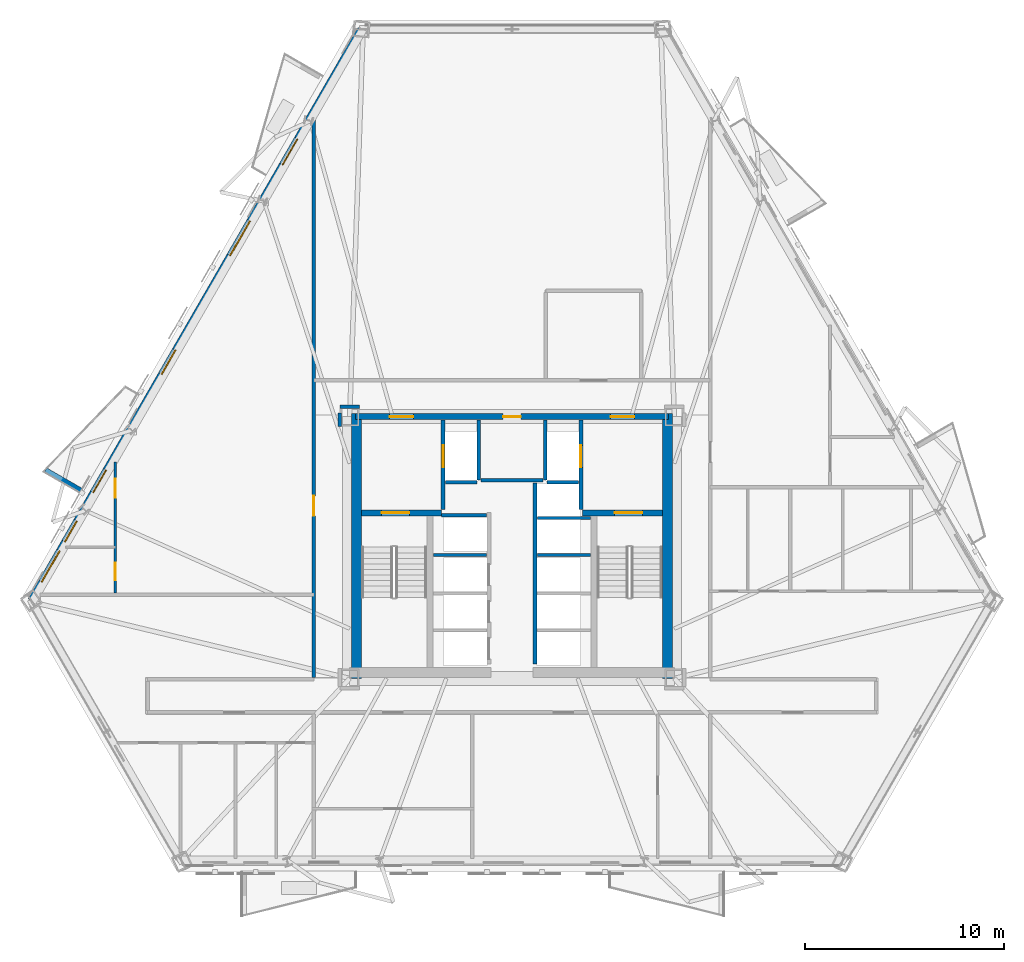
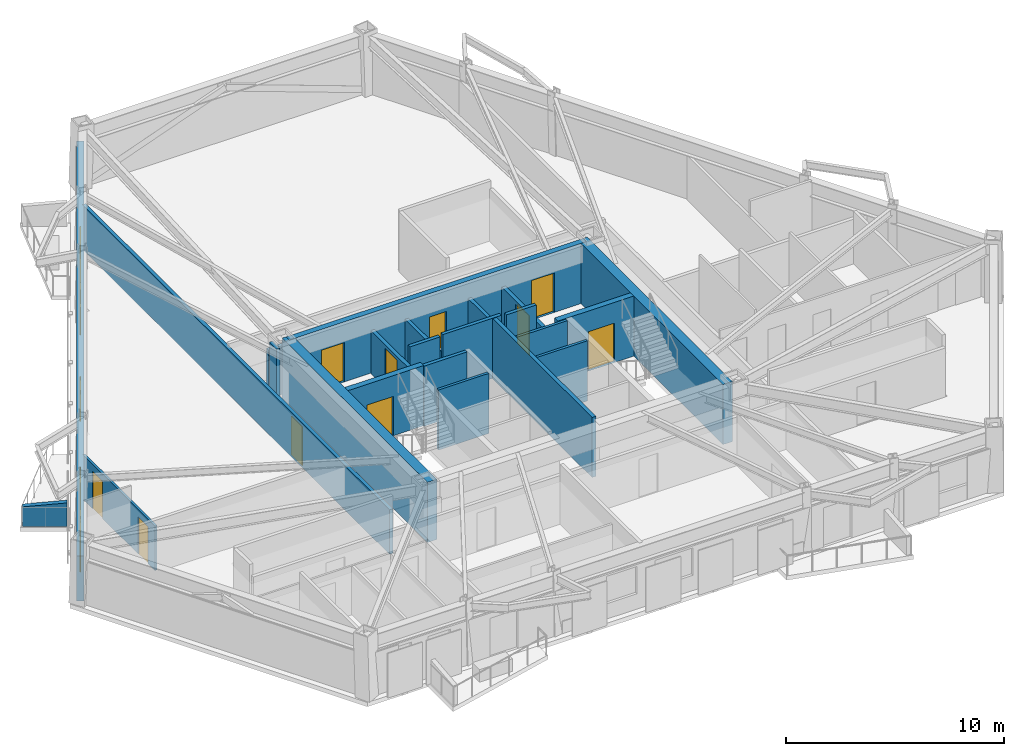
# One storey, part 4 of 13: 23 walls, 12 doors, 4 windows, 16 openings.
"""IFC4 building model written with IfcOpenShell, lengths in metres."""

from ifc_helpers import new_model, si_unit, direction, frame, frame_2d, origin, place, context, subcontext, project, spatial, polyline, rectangle, outline, extrude, material, layer, layer_set, type_object, element, fill, save


model = new_model("IFC4")

# Units and contexts
model_context = context("Model", 3, precision=1e-05, world=origin(), true_north=direction((0.0, 1.0)))
body_context = subcontext(model_context, "Body", "Model", "MODEL_VIEW")
ifc_project = project(units=[si_unit("LENGTHUNIT", "METRE"), si_unit("AREAUNIT", "SQUARE_METRE"), si_unit("VOLUMEUNIT", "CUBIC_METRE"), si_unit("PLANEANGLEUNIT", "RADIAN"), si_unit("MASSUNIT", "GRAM", prefix="KILO")], contexts=[model_context])

# Site, building, storey
site_placement = place(None, origin())
site = spatial("IfcSite", under=ifc_project, at=site_placement, CompositionType="ELEMENT")
building_placement = place(site_placement, origin())
building = spatial("IfcBuilding", under=site, at=building_placement, Name="Oramaril Tower", CompositionType="ELEMENT")
storey_placement = place(building_placement, frame((0.0, 0.0, 41.699951171875)))
storey = spatial("IfcBuildingStorey", under=building, at=storey_placement, Name="L10", CompositionType="ELEMENT", Elevation=41.699951171875)

# Wall, openings, doors, windows
ifc_material_1 = material(Name="Warm Cream Limestone", Category="masonry")
ifc_layer_1 = layer(ifc_material_1, 0.340087890625)
ifc_layer_set_1 = layer_set([ifc_layer_1], Name="WT-EXT34")
wall_type_1 = type_object("IfcWallType", Name="WT-EXT34", PredefinedType="SOLIDWALL", material=ifc_layer_set_1)
wall_1_placement = place(storey_placement, frame((29.910888671875, 43.6025390625, 0.0), z_axis=(0.0, 0.0, 1.0), x_axis=(-0.500002585961, -0.866023910774, 0.0)))
wall_1 = element("IfcWall", 1, at=wall_1_placement, inside=storey, type_object=wall_type_1, Name="L10 Tower Limestone Facade Wall 6M", PredefinedType="SOLIDWALL", context=body_context, shape_type="SweptSolid", body=[
    extrude(rectangle(XDim=33.118408203125, YDim=0.340087890625, at=frame_2d((16.55908203125, 0.0))), origin(), (0.0, 0.0, 1.0), 2.494140625),
])
opening_1_placement = place(wall_1_placement, frame((6.369384765625, 0.0, 0.0)))
opening_1 = element("IfcOpeningElement", 2, at=opening_1_placement, cuts=wall_1, Name="Opening D-L10-BAL-NW1", PredefinedType="OPENING", context=body_context, shape_type="SweptSolid", body=[
    extrude(rectangle(XDim=1.5, YDim=2.199951171875, at=frame_2d((0.75, 1.10009765625))), frame((0.0, 0.169921875, 0.0), z_axis=(0.0, -1.0, 0.0), x_axis=(1.0, 0.0, 0.0)), (0.0, 0.0, 1.0), 0.340087890625),
])
opening_2_placement = place(wall_1_placement, frame((25.57421875, 0.0, 0.0)))
opening_2 = element("IfcOpeningElement", 3, at=opening_2_placement, cuts=wall_1, Name="Opening D-L10-BAL-NW2", PredefinedType="OPENING", context=body_context, shape_type="SweptSolid", body=[
    extrude(rectangle(XDim=1.300048828125, YDim=2.199951171875, at=frame_2d((0.64990234375, 1.10009765625))), frame((0.0, 0.169921875, 0.0), z_axis=(0.0, -1.0, 0.0), x_axis=(1.0, 0.0, 0.0)), (0.0, 0.0, 1.0), 0.340087890625),
])
opening_3_placement = place(wall_1_placement, frame((11.13134765625, 0.0, 0.85009765625)))
opening_3 = element("IfcOpeningElement", 4, at=opening_3_placement, cuts=wall_1, Name="Opening WN-05", PredefinedType="OPENING", context=body_context, shape_type="SweptSolid", body=[
    extrude(rectangle(XDim=2.0, YDim=1.533935546875, at=frame_2d((1.0, 0.76708984375))), frame((0.0, 0.169921875, 0.0), z_axis=(0.0, -1.0, 0.0), x_axis=(1.0, 0.0, 0.0)), (0.0, 0.0, 1.0), 0.340087890625),
])
opening_4_placement = place(wall_1_placement, frame((18.61279296875, 0.0, 0.85009765625)))
opening_4 = element("IfcOpeningElement", 5, at=opening_4_placement, cuts=wall_1, Name="Opening WN-08", PredefinedType="OPENING", context=body_context, shape_type="SweptSolid", body=[
    extrude(rectangle(XDim=1.39990234375, YDim=1.533935546875, at=frame_2d((0.699951171875, 0.76708984375))), frame((0.0, 0.169921875, 0.0), z_axis=(0.0, -1.0, 0.0), x_axis=(1.0, 0.0, 0.0)), (0.0, 0.0, 1.0), 0.340087890625),
])
opening_5_placement = place(wall_1_placement, frame((30.2509765625, 0.0, 0.85009765625)))
opening_5 = element("IfcOpeningElement", 6, at=opening_5_placement, cuts=wall_1, Name="Opening WN-06", PredefinedType="OPENING", context=body_context, shape_type="SweptSolid", body=[
    extrude(rectangle(XDim=1.800048828125, YDim=1.533935546875, at=frame_2d((0.89990234375, 0.76708984375))), frame((0.0, 0.169921875, 0.0), z_axis=(0.0, -1.0, 0.0), x_axis=(1.0, 0.0, 0.0)), (0.0, 0.0, 1.0), 0.340087890625),
])
opening_6_placement = place(wall_1_placement, frame((28.523681640625, 0.0, 0.85009765625)))
opening_6 = element("IfcOpeningElement", 7, at=opening_6_placement, cuts=wall_1, Name="Opening WN-09", PredefinedType="OPENING", context=body_context, shape_type="SweptSolid", body=[
    extrude(rectangle(XDim=1.199951171875, YDim=1.47998046875, at=frame_2d((0.60009765625, 0.739990234375))), frame((0.0, 0.169921875, 0.0), z_axis=(0.0, -1.0, 0.0), x_axis=(1.0, 0.0, 0.0)), (0.0, 0.0, 1.0), 0.340087890625),
])
ifc_material_2 = material(Name="Anodised Aluminium 6063-T6", Category="aluminium")
door_type_1 = type_object("IfcDoorType", Name="DT-BAL", OperationType="NOTDEFINED", PredefinedType="DOOR", material=ifc_material_2)
door_1_placement = place(opening_1_placement, origin())
door_1 = element("IfcDoor", 8, at=door_1_placement, inside=storey, type_object=door_type_1, Name="L10 Balcony Glazed Door L10-BAL-NW1", OperationType="SINGLE_SWING_LEFT", OverallHeight=2.199951171875, OverallWidth=1.5, PredefinedType="DOOR", context=body_context, shape_type="SweptSolid", body=[
    extrude(rectangle(XDim=1.5, YDim=2.199951171875, at=frame_2d((0.75, 1.10009765625))), frame((0.0, 0.02490234375, 0.0), z_axis=(0.0, -1.0, 0.0), x_axis=(1.0, 0.0, 0.0)), (0.0, 0.0, 1.0), 0.050048828125),
])
fill(opening_1, door_1)
ifc_material_3 = material(Name="Anodised Aluminium 6063-T6", Category="aluminium")
door_type_2 = type_object("IfcDoorType", Name="DT-E2", OperationType="NOTDEFINED", PredefinedType="DOOR", material=ifc_material_3)
door_2_placement = place(opening_2_placement, origin())
door_2 = element("IfcDoor", 9, at=door_2_placement, inside=storey, type_object=door_type_2, Name="L10 Balcony Glazed Door L10-BAL-NW2", OperationType="SINGLE_SWING_RIGHT", OverallHeight=2.199951171875, OverallWidth=1.300048828125, PredefinedType="DOOR", context=body_context, shape_type="SweptSolid", body=[
    extrude(rectangle(XDim=1.300048828125, YDim=2.199951171875, at=frame_2d((0.64990234375, 1.10009765625))), frame((0.0, 0.02490234375, 0.0), z_axis=(0.0, -1.0, 0.0), x_axis=(1.0, 0.0, 0.0)), (0.0, 0.0, 1.0), 0.050048828125),
])
fill(opening_2, door_2)
ifc_material_4 = material(Name="Coastal Low-E Insulated Glass", Category="glass")
window_type_1 = type_object("IfcWindowType", Name="WNT-05", PartitioningType="SINGLE_PANEL", PredefinedType="WINDOW", material=ifc_material_4)
window_1_placement = place(opening_3_placement, origin())
window_1 = element("IfcWindow", 10, at=window_1_placement, inside=storey, type_object=window_type_1, Name="L10 Chicago Bay Window WN-05", OverallHeight=1.533935546875, OverallWidth=2.0, PartitioningType="SINGLE_PANEL", PredefinedType="WINDOW", context=body_context, shape_type="SweptSolid", body=[
    extrude(rectangle(XDim=2.0, YDim=1.533935546875, at=frame_2d((1.0, 0.76708984375))), frame((0.0, 0.030029296875, 0.0), z_axis=(0.0, -1.0, 0.0), x_axis=(1.0, 0.0, 0.0)), (0.0, 0.0, 1.0), 0.06005859375),
])
fill(opening_3, window_1)
ifc_material_5 = material(Name="Coastal Low-E Insulated Glass", Category="glass")
window_type_2 = type_object("IfcWindowType", Name="WNT-06", PartitioningType="SINGLE_PANEL", PredefinedType="WINDOW", material=ifc_material_5)
window_2_placement = place(opening_5_placement, origin())
window_2 = element("IfcWindow", 11, at=window_2_placement, inside=storey, type_object=window_type_2, Name="L10 Chicago Bay Window WN-06", OverallHeight=1.533935546875, OverallWidth=1.800048828125, PartitioningType="SINGLE_PANEL", PredefinedType="WINDOW", context=body_context, shape_type="SweptSolid", body=[
    extrude(rectangle(XDim=1.800048828125, YDim=1.533935546875, at=frame_2d((0.89990234375, 0.76708984375))), frame((0.0, 0.030029296875, 0.0), z_axis=(0.0, -1.0, 0.0), x_axis=(1.0, 0.0, 0.0)), (0.0, 0.0, 1.0), 0.06005859375),
])
fill(opening_5, window_2)
ifc_material_6 = material(Name="Coastal Low-E Insulated Glass", Category="glass")
window_type_3 = type_object("IfcWindowType", Name="WNT-08", PartitioningType="SINGLE_PANEL", PredefinedType="WINDOW", material=ifc_material_6)
window_3_placement = place(opening_4_placement, origin())
window_3 = element("IfcWindow", 12, at=window_3_placement, inside=storey, type_object=window_type_3, Name="L10 Chicago Bay Window WN-08", OverallHeight=1.533935546875, OverallWidth=1.39990234375, PartitioningType="SINGLE_PANEL", PredefinedType="WINDOW", context=body_context, shape_type="SweptSolid", body=[
    extrude(rectangle(XDim=1.39990234375, YDim=1.533935546875, at=frame_2d((0.699951171875, 0.76708984375))), frame((0.0, 0.030029296875, 0.0), z_axis=(0.0, -1.0, 0.0), x_axis=(1.0, 0.0, 0.0)), (0.0, 0.0, 1.0), 0.06005859375),
])
fill(opening_4, window_3)
ifc_material_7 = material(Name="Coastal Low-E Insulated Glass", Category="glass")
window_type_4 = type_object("IfcWindowType", Name="WNT-09", PartitioningType="SINGLE_PANEL", PredefinedType="WINDOW", material=ifc_material_7)
window_4_placement = place(opening_6_placement, origin())
window_4 = element("IfcWindow", 13, at=window_4_placement, inside=storey, type_object=window_type_4, Name="L10 Chicago Bay Window WN-09", OverallHeight=1.47998046875, OverallWidth=1.199951171875, PartitioningType="SINGLE_PANEL", PredefinedType="WINDOW", context=body_context, shape_type="SweptSolid", body=[
    extrude(rectangle(XDim=1.199951171875, YDim=1.47998046875, at=frame_2d((0.60009765625, 0.739990234375))), frame((0.0, 0.030029296875, 0.0), z_axis=(0.0, -1.0, 0.0), x_axis=(1.0, 0.0, 0.0)), (0.0, 0.0, 1.0), 0.06005859375),
])
fill(opening_6, window_4)

# Wall
ifc_material_8 = material(Name="Concrete C40/50", Category="concrete")
ifc_layer_2 = layer(ifc_material_8, 0.22998046875)
ifc_layer_set_2 = layer_set([ifc_layer_2], Name="WT-PRP23")
wall_type_2 = type_object("IfcWallType", Name="WT-PRP23", PredefinedType="PARAPET", material=ifc_layer_set_2)
wall_2_placement = place(storey_placement, frame((15.853515625, 20.450439453125, 0.0), z_axis=(0.0, 0.0, 1.0), x_axis=(-0.866042246008, 0.499970827278, 0.0)))
element("IfcWall", 14, at=wall_2_placement, inside=storey, type_object=wall_type_2, Name="L10 Trapezoidal Balcony Frame Cheek L10-BAL-NW2-R", PredefinedType="PARAPET", context=body_context, shape_type="SweptSolid", body=[
    extrude(outline(polyline([(0.0, 0.0), (2.0419921875, 0.0), (2.0419921875, 1.10009765625), (0.0, 1.320068359375), (0.0, 0.0)])), frame((0.0, 0.114990234375, 0.0), z_axis=(0.0, -1.0, 0.0), x_axis=(1.0, 0.0, 0.0)), (0.0, 0.0, 1.0), 0.22998046875),
])

# Wall, openings, doors
ifc_material_9 = material(Name="Acoustic Gypsum Board Partition")
ifc_layer_3 = layer(ifc_material_9, 0.1201171875)
ifc_layer_set_3 = layer_set([ifc_layer_3], Name="WT-PT12")
wall_type_3 = type_object("IfcWallType", Name="WT-PT12", PredefinedType="PARTITIONING", material=ifc_layer_set_3)
wall_3_placement = place(storey_placement, frame((17.570068359375, 15.2939453125, 0.0), z_axis=(0.0, 0.0, 1.0), x_axis=(0.0, 1.0, 0.0)))
wall_3 = element("IfcWall", 15, at=wall_3_placement, inside=storey, type_object=wall_type_3, Name="L10 Interior Partition PT-12", PredefinedType="PARTITIONING", context=body_context, shape_type="SweptSolid", body=[
    extrude(rectangle(XDim=6.585693359375, YDim=0.1201171875, at=frame_2d((3.29296875, 0.0))), origin(), (0.0, 0.0, 1.0), 2.494140625),
])
opening_7_placement = place(wall_3_placement, frame((0.64453125, 0.0, 0.0)))
opening_7 = element("IfcOpeningElement", 16, at=opening_7_placement, cuts=wall_3, Name="Opening D-L10-16", PredefinedType="OPENING", context=body_context, shape_type="SweptSolid", body=[
    extrude(rectangle(XDim=0.8798828125, YDim=2.080078125, at=frame_2d((0.43994140625, 1.0400390625))), frame((0.0, 0.06005859375, 0.0), z_axis=(0.0, -1.0, 0.0), x_axis=(1.0, 0.0, 0.0)), (0.0, 0.0, 1.0), 0.1201171875),
])
opening_8_placement = place(wall_3_placement, frame((4.783203125, 0.0, 0.0)))
opening_8 = element("IfcOpeningElement", 17, at=opening_8_placement, cuts=wall_3, Name="Opening D-L10-17", PredefinedType="OPENING", context=body_context, shape_type="SweptSolid", body=[
    extrude(rectangle(XDim=0.949951171875, YDim=2.10009765625, at=frame_2d((0.47509765625, 1.050048828125))), frame((0.0, 0.06005859375, 0.0), z_axis=(0.0, -1.0, 0.0), x_axis=(1.0, 0.0, 0.0)), (0.0, 0.0, 1.0), 0.1201171875),
])
ifc_material_10 = material(Name="FSC Brazilian Freijo Hardwood", Category="wood")
door_type_3 = type_object("IfcDoorType", Name="DT-BATH", OperationType="NOTDEFINED", PredefinedType="DOOR", material=ifc_material_10)
door_3_placement = place(opening_7_placement, origin())
door_3 = element("IfcDoor", 18, at=door_3_placement, inside=storey, type_object=door_type_3, Name="L10 Flat L10-U4 Bathroom Door D-L10-16", OperationType="SINGLE_SWING_LEFT", OverallHeight=2.080078125, OverallWidth=0.8798828125, PredefinedType="DOOR", context=body_context, shape_type="SweptSolid", body=[
    extrude(rectangle(XDim=0.8798828125, YDim=2.080078125, at=frame_2d((0.43994140625, 1.0400390625))), frame((0.0, 0.02490234375, 0.0), z_axis=(0.0, -1.0, 0.0), x_axis=(1.0, 0.0, 0.0)), (0.0, 0.0, 1.0), 0.050048828125),
])
fill(opening_7, door_3)
ifc_material_11 = material(Name="FSC Brazilian Freijo Hardwood", Category="wood")
door_type_4 = type_object("IfcDoorType", Name="DT-STDY", OperationType="NOTDEFINED", PredefinedType="DOOR", material=ifc_material_11)
door_4_placement = place(opening_8_placement, origin())
door_4 = element("IfcDoor", 19, at=door_4_placement, inside=storey, type_object=door_type_4, Name="L10 Flat L10-U4 Kitchen Door D-L10-17", OperationType="SINGLE_SWING_RIGHT", OverallHeight=2.10009765625, OverallWidth=0.949951171875, PredefinedType="DOOR", context=body_context, shape_type="SweptSolid", body=[
    extrude(rectangle(XDim=0.949951171875, YDim=2.10009765625, at=frame_2d((0.47509765625, 1.050048828125))), frame((0.0, 0.02490234375, 0.0), z_axis=(0.0, -1.0, 0.0), x_axis=(1.0, 0.0, 0.0)), (0.0, 0.0, 1.0), 0.050048828125),
])
fill(opening_8, door_4)

# Walls
ifc_material_12 = material(Name="Acoustic Gypsum Board Partition")
ifc_layer_4 = layer(ifc_material_12, 0.139892578125)
ifc_layer_set_4 = layer_set([ifc_layer_4], Name="WT-PT14")
wall_type_4 = type_object("IfcWallType", Name="WT-PT14", PredefinedType="PARTITIONING", material=ifc_layer_set_4)
for number, where, z_axis, x_axis, name in (
    (20, (33.56005859375, 17.199951171875, 0.0), (0.0, 0.0, 1.0), (1.0, 0.0, 0.0), "L10 West Lift Divider"),
    (21, (38.780029296875, 17.199951171875, 0.0), (0.0, 0.0, 1.0), (1.0, 0.0, 0.0), "L10 East Lift Divider"),
    (22, (38.780029296875, 19.050048828125, 0.0), (0.0, 0.0, 1.0), (1.0, 0.0, 0.0), "L10 East Lift Divider"),
):
    element("IfcWall", number, at=place(storey_placement, frame(where, z_axis=z_axis, x_axis=x_axis)), inside=storey, type_object=wall_type_4, Name=name, PredefinedType="PARTITIONING", context=body_context, shape_type="SweptSolid", body=[
        extrude(rectangle(XDim=2.659912109375, YDim=0.139892578125, at=frame_2d((1.330078125, 0.0))), origin(), (0.0, 0.0, 1.0), 3.360107421875),
    ])
ifc_material_13 = material(Name="Autoclaved Cellular Concrete Block", Category="concrete")
ifc_layer_5 = layer(ifc_material_13, 0.179931640625)
ifc_layer_set_5 = layer_set([ifc_layer_5], Name="WT-PT18")
wall_type_5 = type_object("IfcWallType", Name="WT-PT18", PredefinedType="PARTITIONING", material=ifc_layer_set_5)
wall_4_placement = place(storey_placement, frame((35.840087890625, 20.9599609375, 0.0), z_axis=(0.0, 0.0, 1.0), x_axis=(0.0, 1.0, 0.0)))
element("IfcWall", 23, at=wall_4_placement, inside=storey, type_object=wall_type_5, Name="L10 FL-1 East Shaft Wall", PredefinedType="PARTITIONING", context=body_context, shape_type="SweptSolid", body=[
    extrude(rectangle(XDim=3.02001953125, YDim=0.179931640625, at=frame_2d((1.510009765625, 0.0))), origin(), (0.0, 0.0, 1.0), 2.400146484375),
])
wall_5_placement = place(storey_placement, frame((34.159912109375, 20.860107421875, 0.0), z_axis=(0.0, 0.0, 1.0), x_axis=(1.0, 0.0, 0.0)))
element("IfcWall", 24, at=wall_5_placement, inside=storey, type_object=wall_type_5, Name="L10 FL-1 South Shaft Wall", PredefinedType="PARTITIONING", context=body_context, shape_type="SweptSolid", body=[
    extrude(rectangle(XDim=1.580078125, YDim=0.179931640625, at=frame_2d((0.7900390625, 0.0))), origin(), (0.0, 0.0, 1.0), 3.360107421875),
])
wall_6_placement = place(storey_placement, frame((39.159912109375, 20.9599609375, 0.0), z_axis=(0.0, 0.0, 1.0), x_axis=(0.0, 1.0, 0.0)))
element("IfcWall", 25, at=wall_6_placement, inside=storey, type_object=wall_type_5, Name="L10 FL-2 West Shaft Wall", PredefinedType="PARTITIONING", context=body_context, shape_type="SweptSolid", body=[
    extrude(rectangle(XDim=3.02001953125, YDim=0.179931640625, at=frame_2d((1.510009765625, 0.0))), origin(), (0.0, 0.0, 1.0), 2.400146484375),
])
wall_7_placement = place(storey_placement, frame((39.260009765625, 20.860107421875, 0.0), z_axis=(0.0, 0.0, 1.0), x_axis=(1.0, 0.0, 0.0)))
element("IfcWall", 26, at=wall_7_placement, inside=storey, type_object=wall_type_5, Name="L10 FL-2 South Shaft Wall", PredefinedType="PARTITIONING", context=body_context, shape_type="SweptSolid", body=[
    extrude(rectangle(XDim=1.580078125, YDim=0.179931640625, at=frame_2d((0.7900390625, 0.0))), origin(), (0.0, 0.0, 1.0), 3.360107421875),
])
wall_8_placement = place(storey_placement, frame((33.949951171875, 19.199951171875, 0.0), z_axis=(0.0, 0.0, 1.0), x_axis=(1.0, 0.0, 0.0)))
element("IfcWall", 27, at=wall_8_placement, inside=storey, type_object=wall_type_5, Name="L10 High-Rise Lift H1 North Shaft Wall", PredefinedType="PARTITIONING", context=body_context, shape_type="SweptSolid", body=[
    extrude(rectangle(XDim=2.27001953125, YDim=0.179931640625, at=frame_2d((1.135009765625, 0.0))), origin(), (0.0, 0.0, 1.0), 3.360107421875),
])
wall_9_placement = place(storey_placement, frame((35.949951171875, 20.949951171875, 0.0), z_axis=(0.0, 0.0, 1.0), x_axis=(1.0, 0.0, 0.0)))
element("IfcWall", 28, at=wall_9_placement, inside=storey, type_object=wall_type_5, Name="L10 Lift Lobby North Partition", PredefinedType="PARTITIONING", context=body_context, shape_type="SweptSolid", body=[
    extrude(rectangle(XDim=3.10009765625, YDim=0.179931640625, at=frame_2d((1.550048828125, 0.0))), origin(), (0.0, 0.0, 1.0), 3.360107421875),
])
wall_10_placement = place(storey_placement, frame((28.85498046875, 24.639892578125, 0.0), z_axis=(0.0, 0.0, 1.0), x_axis=(1.0, 0.0, 0.0)))
element("IfcWall", 29, at=wall_10_placement, inside=storey, type_object=wall_type_5, Name="L10 Interior Partition PT-18", PredefinedType="PARTITIONING", context=body_context, shape_type="SweptSolid", body=[
    extrude(rectangle(XDim=0.989990234375, YDim=0.179931640625, at=frame_2d((0.4951171875, 0.0))), origin(), (0.0, 0.0, 1.0), 2.738037109375),
])

# Wall, opening, door
wall_11_placement = place(storey_placement, frame((27.550048828125, 11.0439453125, 0.0), z_axis=(0.0, 0.0, 1.0), x_axis=(0.0, 1.0, 0.0)))
wall_11 = element("IfcWall", 30, at=wall_11_placement, inside=storey, type_object=wall_type_5, Name="L10 Interior Partition PT-18", PredefinedType="PARTITIONING", context=body_context, shape_type="SweptSolid", body=[
    extrude(rectangle(XDim=28.121337890625, YDim=0.179931640625, at=frame_2d((14.060546875, 0.0))), origin(), (0.0, 0.0, 1.0), 2.494140625),
])
opening_9_placement = place(wall_11_placement, frame((8.12060546875, 0.0, 0.0)))
opening_9 = element("IfcOpeningElement", 31, at=opening_9_placement, cuts=wall_11, Name="Opening D-L10-18", PredefinedType="OPENING", context=body_context, shape_type="SweptSolid", body=[
    extrude(rectangle(XDim=1.0, YDim=2.179931640625, at=frame_2d((0.5, 1.08984375))), frame((0.0, 0.08984375, 0.0), z_axis=(0.0, -1.0, 0.0), x_axis=(1.0, 0.0, 0.0)), (0.0, 0.0, 1.0), 0.179931640625),
])
ifc_material_14 = material(Name="FSC Brazilian Freijo Hardwood", Category="wood")
door_type_5 = type_object("IfcDoorType", Name="DT-APT", OperationType="NOTDEFINED", PredefinedType="DOOR", material=ifc_material_14)
door_5_placement = place(opening_9_placement, origin())
door_5 = element("IfcDoor", 32, at=door_5_placement, inside=storey, type_object=door_type_5, Name="L10 Flat L10-U4 Studio Apartment Door D-L10-18", OperationType="SINGLE_SWING_LEFT", OverallHeight=2.179931640625, OverallWidth=1.0, PredefinedType="DOOR", context=body_context, shape_type="SweptSolid", body=[
    extrude(rectangle(XDim=1.0, YDim=2.179931640625, at=frame_2d((0.5, 1.08984375))), frame((0.0, 0.02490234375, 0.0), z_axis=(0.0, -1.0, 0.0), x_axis=(1.0, 0.0, 0.0)), (0.0, 0.0, 1.0), 0.050048828125),
])
fill(opening_9, door_5)

# Wall
wall_12_placement = place(storey_placement, frame((28.860107421875, 23.655029296875, 0.0), z_axis=(0.0, 0.0, 1.0), x_axis=(0.0, 1.0, 0.0)))
element("IfcWall", 33, at=wall_12_placement, inside=storey, type_object=wall_type_5, Name="L10 Interior Partition PT-18", PredefinedType="PARTITIONING", context=body_context, shape_type="SweptSolid", body=[
    extrude(rectangle(XDim=0.6650390625, YDim=0.179931640625, at=frame_2d((0.33251953125, 0.0))), origin(), (0.0, 0.0, 1.0), 3.360107421875),
])

# Wall, openings, doors
ifc_material_15 = material(Name="Concrete C50/60", Category="concrete")
ifc_layer_6 = layer(ifc_material_15, 0.300048828125)
ifc_layer_set_6 = layer_set([ifc_layer_6], Name="WT-SH30")
wall_type_6 = type_object("IfcWallType", Name="WT-SH30", PredefinedType="SHEAR", material=ifc_layer_set_6)
wall_13_placement = place(storey_placement, frame((29.64990234375, 24.14990234375, 0.0), z_axis=(0.0, 0.0, 1.0), x_axis=(1.0, 0.0, 0.0)))
wall_13 = element("IfcWall", 34, at=wall_13_placement, inside=storey, type_object=wall_type_6, Name="L10 Core Shear Wall CW-N", PredefinedType="SHEAR", context=body_context, shape_type="SweptSolid", body=[
    extrude(rectangle(XDim=15.7001953125, YDim=0.300048828125, at=frame_2d((7.85009765625, 0.0))), origin(), (0.0, 0.0, 1.0), 3.360107421875),
])
opening_10_placement = place(wall_13_placement, frame((1.699951171875, 0.0, 0.0)))
opening_10 = element("IfcOpeningElement", 35, at=opening_10_placement, cuts=wall_13, Name="Opening D-L10-FFL1", PredefinedType="OPENING", context=body_context, shape_type="SweptSolid", body=[
    extrude(rectangle(XDim=1.199951171875, YDim=2.199951171875, at=frame_2d((0.60009765625, 1.10009765625))), frame((0.0, 0.14990234375, 0.0), z_axis=(0.0, -1.0, 0.0), x_axis=(1.0, 0.0, 0.0)), (0.0, 0.0, 1.0), 0.300048828125),
])
opening_11_placement = place(wall_13_placement, frame((12.800048828125, 0.0, 0.0)))
opening_11 = element("IfcOpeningElement", 36, at=opening_11_placement, cuts=wall_13, Name="Opening D-L10-FFL2", PredefinedType="OPENING", context=body_context, shape_type="SweptSolid", body=[
    extrude(rectangle(XDim=1.199951171875, YDim=2.199951171875, at=frame_2d((0.60009765625, 1.10009765625))), frame((0.0, 0.14990234375, 0.0), z_axis=(0.0, -1.0, 0.0), x_axis=(1.0, 0.0, 0.0)), (0.0, 0.0, 1.0), 0.300048828125),
])
opening_12_placement = place(wall_13_placement, frame((7.39990234375, 0.0, 0.0)))
opening_12 = element("IfcOpeningElement", 37, at=opening_12_placement, cuts=wall_13, Name="Opening D-L10-SV1", PredefinedType="OPENING", context=body_context, shape_type="SweptSolid", body=[
    extrude(rectangle(XDim=0.89990234375, YDim=2.050048828125, at=frame_2d((0.449951171875, 1.02490234375))), frame((0.0, 0.14990234375, 0.0), z_axis=(0.0, -1.0, 0.0), x_axis=(1.0, 0.0, 0.0)), (0.0, 0.0, 1.0), 0.300048828125),
])
ifc_material_16 = material(Name="Painted Galvanised Steel", Category="steel")
door_type_6 = type_object("IfcDoorType", Name="DT-FFL", OperationType="NOTDEFINED", PredefinedType="DOOR", material=ifc_material_16)
door_6_placement = place(opening_10_placement, origin())
door_6 = element("IfcDoor", 38, at=door_6_placement, inside=storey, type_object=door_type_6, Name="L10 Firefighting Lobby 1 Fire Door", OperationType="SINGLE_SWING_LEFT", OverallHeight=2.199951171875, OverallWidth=1.199951171875, PredefinedType="DOOR", context=body_context, shape_type="SweptSolid", body=[
    extrude(rectangle(XDim=1.199951171875, YDim=2.199951171875, at=frame_2d((0.60009765625, 1.10009765625))), frame((0.0, 0.02490234375, 0.0), z_axis=(0.0, -1.0, 0.0), x_axis=(1.0, 0.0, 0.0)), (0.0, 0.0, 1.0), 0.050048828125),
])
fill(opening_10, door_6)
door_7_placement = place(opening_11_placement, origin())
door_7 = element("IfcDoor", 39, at=door_7_placement, inside=storey, type_object=door_type_6, Name="L10 Firefighting Lobby 2 Fire Door", OperationType="SINGLE_SWING_RIGHT", OverallHeight=2.199951171875, OverallWidth=1.199951171875, PredefinedType="DOOR", context=body_context, shape_type="SweptSolid", body=[
    extrude(rectangle(XDim=1.199951171875, YDim=2.199951171875, at=frame_2d((0.60009765625, 1.10009765625))), frame((0.0, 0.02490234375, 0.0), z_axis=(0.0, -1.0, 0.0), x_axis=(1.0, 0.0, 0.0)), (0.0, 0.0, 1.0), 0.050048828125),
])
fill(opening_11, door_7)
ifc_material_17 = material(Name="Painted Galvanised Steel", Category="steel")
door_type_7 = type_object("IfcDoorType", Name="DT-SVC", OperationType="NOTDEFINED", PredefinedType="DOOR", material=ifc_material_17)
door_8_placement = place(opening_12_placement, origin())
door_8 = element("IfcDoor", 40, at=door_8_placement, inside=storey, type_object=door_type_7, Name="L10 Core Janitor Store Door", OperationType="SINGLE_SWING_LEFT", OverallHeight=2.050048828125, OverallWidth=0.89990234375, PredefinedType="DOOR", context=body_context, shape_type="SweptSolid", body=[
    extrude(rectangle(XDim=0.89990234375, YDim=2.050048828125, at=frame_2d((0.449951171875, 1.02490234375))), frame((0.0, 0.02490234375, 0.0), z_axis=(0.0, -1.0, 0.0), x_axis=(1.0, 0.0, 0.0)), (0.0, 0.0, 1.0), 0.050048828125),
])
fill(opening_12, door_8)

# Wall, opening, door
wall_14_placement = place(storey_placement, frame((29.93994140625, 19.31005859375, 0.0), z_axis=(0.0, 0.0, 1.0), x_axis=(1.0, 0.0, 0.0)))
wall_14 = element("IfcWall", 41, at=wall_14_placement, inside=storey, type_object=wall_type_6, Name="L10 Core Shear Wall CW-ST1N", PredefinedType="SHEAR", context=body_context, shape_type="SweptSolid", body=[
    extrude(rectangle(XDim=4.010009765625, YDim=0.300048828125, at=frame_2d((2.0048828125, 0.0))), origin(), (0.0, 0.0, 1.0), 3.360107421875),
])
opening_13_placement = place(wall_14_placement, frame((1.010009765625, 0.0, 0.0)))
opening_13 = element("IfcOpeningElement", 42, at=opening_13_placement, cuts=wall_14, Name="Opening D-L10-ST1", PredefinedType="OPENING", context=body_context, shape_type="SweptSolid", body=[
    extrude(rectangle(XDim=1.39990234375, YDim=2.199951171875, at=frame_2d((0.699951171875, 1.10009765625))), frame((0.0, 0.14990234375, 0.0), z_axis=(0.0, -1.0, 0.0), x_axis=(1.0, 0.0, 0.0)), (0.0, 0.0, 1.0), 0.300048828125),
])
ifc_material_18 = material(Name="Painted Galvanised Steel", Category="steel")
door_type_8 = type_object("IfcDoorType", Name="DT-ST", OperationType="NOTDEFINED", PredefinedType="DOOR", material=ifc_material_18)
door_9_placement = place(opening_13_placement, origin())
door_9 = element("IfcDoor", 43, at=door_9_placement, inside=storey, type_object=door_type_8, Name="L10 Protected Stair ST-1 Fire Door", OperationType="SINGLE_SWING_LEFT", OverallHeight=2.199951171875, OverallWidth=1.39990234375, PredefinedType="DOOR", context=body_context, shape_type="SweptSolid", body=[
    extrude(rectangle(XDim=1.39990234375, YDim=2.199951171875, at=frame_2d((0.699951171875, 1.10009765625))), frame((0.0, 0.02490234375, 0.0), z_axis=(0.0, -1.0, 0.0), x_axis=(1.0, 0.0, 0.0)), (0.0, 0.0, 1.0), 0.050048828125),
])
fill(opening_13, door_9)

wall_15_placement = place(storey_placement, frame((41.050048828125, 19.31005859375, 0.0), z_axis=(0.0, 0.0, 1.0), x_axis=(1.0, 0.0, 0.0)))
wall_15 = element("IfcWall", 44, at=wall_15_placement, inside=storey, type_object=wall_type_6, Name="L10 Core Shear Wall CW-ST2N", PredefinedType="SHEAR", context=body_context, shape_type="SweptSolid", body=[
    extrude(rectangle(XDim=4.010009765625, YDim=0.300048828125, at=frame_2d((2.0048828125, 0.0))), origin(), (0.0, 0.0, 1.0), 3.360107421875),
])
opening_14_placement = place(wall_15_placement, frame((1.60009765625, 0.0, 0.0)))
opening_14 = element("IfcOpeningElement", 45, at=opening_14_placement, cuts=wall_15, Name="Opening D-L10-ST2", PredefinedType="OPENING", context=body_context, shape_type="SweptSolid", body=[
    extrude(rectangle(XDim=1.39990234375, YDim=2.199951171875, at=frame_2d((0.699951171875, 1.10009765625))), frame((0.0, 0.14990234375, 0.0), z_axis=(0.0, -1.0, 0.0), x_axis=(1.0, 0.0, 0.0)), (0.0, 0.0, 1.0), 0.300048828125),
])
door_10_placement = place(opening_14_placement, origin())
door_10 = element("IfcDoor", 46, at=door_10_placement, inside=storey, type_object=door_type_8, Name="L10 Protected Stair ST-2 Fire Door", OperationType="SINGLE_SWING_RIGHT", OverallHeight=2.199951171875, OverallWidth=1.39990234375, PredefinedType="DOOR", context=body_context, shape_type="SweptSolid", body=[
    extrude(rectangle(XDim=1.39990234375, YDim=2.199951171875, at=frame_2d((0.699951171875, 1.10009765625))), frame((0.0, 0.02490234375, 0.0), z_axis=(0.0, -1.0, 0.0), x_axis=(1.0, 0.0, 0.0)), (0.0, 0.0, 1.0), 0.050048828125),
])
fill(opening_14, door_10)

# Walls
ifc_material_19 = material(Name="Concrete C50/60", Category="concrete")
ifc_layer_7 = layer(ifc_material_19, 0.5)
ifc_layer_set_7 = layer_set([ifc_layer_7], Name="WT-SH50")
wall_type_7 = type_object("IfcWallType", Name="WT-SH50", PredefinedType="SHEAR", material=ifc_layer_set_7)
for number, where, z_axis, x_axis, name in (
    (47, (29.68994140625, 11.0, 0.0), (0.0, 0.0, 1.0), (0.0, 1.0, 0.0), "L10 Core Shear Wall CW-W"),
    (48, (45.31005859375, 11.0, 0.0), (0.0, 0.0, 1.0), (0.0, 1.0, 0.0), "L10 Core Shear Wall CW-E"),
):
    element("IfcWall", number, at=place(storey_placement, frame(where, z_axis=z_axis, x_axis=x_axis)), inside=storey, type_object=wall_type_7, Name=name, PredefinedType="SHEAR", context=body_context, shape_type="SweptSolid", body=[
        extrude(rectangle(XDim=13.300048828125, YDim=0.5, at=frame_2d((6.64990234375, 0.0))), origin(), (0.0, 0.0, 1.0), 3.360107421875),
    ])

# Wall, opening, door
ifc_material_20 = material(Name="Autoclaved Cellular Concrete Block", Category="concrete")
ifc_layer_8 = layer(ifc_material_20, 0.199951171875)
ifc_layer_set_8 = layer_set([ifc_layer_8], Name="WT-SHF20")
wall_type_8 = type_object("IfcWallType", Name="WT-SHF20", PredefinedType="PARTITIONING", material=ifc_layer_set_8)
wall_16_placement = place(storey_placement, frame((34.0400390625, 19.47998046875, 0.0), z_axis=(0.0, 0.0, 1.0), x_axis=(0.0, 1.0, 0.0)))
wall_16 = element("IfcWall", 49, at=wall_16_placement, inside=storey, type_object=wall_type_8, Name="L10 FL-1 Lobby Shaft Wall", PredefinedType="PARTITIONING", context=body_context, shape_type="SweptSolid", body=[
    extrude(rectangle(XDim=4.5, YDim=0.199951171875, at=frame_2d((2.25, 0.0))), origin(), (0.0, 0.0, 1.0), 2.400146484375),
])
opening_15_placement = place(wall_16_placement, frame((2.1201171875, 0.0, 0.0)))
opening_15 = element("IfcOpeningElement", 50, at=opening_15_placement, cuts=wall_16, Name="Opening LD-L10-FL-1", PredefinedType="OPENING", context=body_context, shape_type="SweptSolid", body=[
    extrude(rectangle(XDim=1.10009765625, YDim=2.199951171875, at=frame_2d((0.550048828125, 1.10009765625))), frame((0.0, 0.10009765625, 0.0), z_axis=(0.0, -1.0, 0.0), x_axis=(1.0, 0.0, 0.0)), (0.0, 0.0, 1.0), 0.199951171875),
])
ifc_material_21 = material(Name="Stainless Steel 316L", Category="steel")
door_type_9 = type_object("IfcDoorType", Name="DT-LD1", OperationType="NOTDEFINED", PredefinedType="DOOR", material=ifc_material_21)
door_11_placement = place(opening_15_placement, origin())
door_11 = element("IfcDoor", 51, at=door_11_placement, inside=storey, type_object=door_type_9, Name="L10 Lift FL-1 Sliding Landing Door", OperationType="SLIDING_TO_LEFT", OverallHeight=2.199951171875, OverallWidth=1.10009765625, PredefinedType="DOOR", context=body_context, shape_type="SweptSolid", body=[
    extrude(rectangle(XDim=1.10009765625, YDim=2.199951171875, at=frame_2d((0.550048828125, 1.10009765625))), frame((0.0, 0.02490234375, 0.0), z_axis=(0.0, -1.0, 0.0), x_axis=(1.0, 0.0, 0.0)), (0.0, 0.0, 1.0), 0.050048828125),
])
fill(opening_15, door_11)

wall_17_placement = place(storey_placement, frame((40.9599609375, 19.47998046875, 0.0), z_axis=(0.0, 0.0, 1.0), x_axis=(0.0, 1.0, 0.0)))
wall_17 = element("IfcWall", 52, at=wall_17_placement, inside=storey, type_object=wall_type_8, Name="L10 FL-2 Lobby Shaft Wall", PredefinedType="PARTITIONING", context=body_context, shape_type="SweptSolid", body=[
    extrude(rectangle(XDim=4.5, YDim=0.199951171875, at=frame_2d((2.25, 0.0))), origin(), (0.0, 0.0, 1.0), 2.400146484375),
])
opening_16_placement = place(wall_17_placement, frame((2.1201171875, 0.0, 0.0)))
opening_16 = element("IfcOpeningElement", 53, at=opening_16_placement, cuts=wall_17, Name="Opening LD-L10-FL-2", PredefinedType="OPENING", context=body_context, shape_type="SweptSolid", body=[
    extrude(rectangle(XDim=1.10009765625, YDim=2.199951171875, at=frame_2d((0.550048828125, 1.10009765625))), frame((0.0, 0.10009765625, 0.0), z_axis=(0.0, -1.0, 0.0), x_axis=(1.0, 0.0, 0.0)), (0.0, 0.0, 1.0), 0.199951171875),
])
door_12_placement = place(opening_16_placement, origin())
door_12 = element("IfcDoor", 54, at=door_12_placement, inside=storey, type_object=door_type_9, Name="L10 Lift FL-2 Sliding Landing Door", OperationType="SLIDING_TO_RIGHT", OverallHeight=2.199951171875, OverallWidth=1.10009765625, PredefinedType="DOOR", context=body_context, shape_type="SweptSolid", body=[
    extrude(rectangle(XDim=1.10009765625, YDim=2.199951171875, at=frame_2d((0.550048828125, 1.10009765625))), frame((0.0, 0.02490234375, 0.0), z_axis=(0.0, -1.0, 0.0), x_axis=(1.0, 0.0, 0.0)), (0.0, 0.0, 1.0), 0.050048828125),
])
fill(opening_16, door_12)

# Wall
wall_18_placement = place(storey_placement, frame((38.659912109375, 11.719970703125, 0.0), z_axis=(0.0, 0.0, 1.0), x_axis=(0.0, 1.0, 0.0)))
element("IfcWall", 55, at=wall_18_placement, inside=storey, type_object=wall_type_8, Name="L10 East Lift Bank Front Wall", PredefinedType="PARTITIONING", context=body_context, shape_type="SweptSolid", body=[
    extrude(rectangle(XDim=9.10009765625, YDim=0.199951171875, at=frame_2d((4.550048828125, 0.0))), origin(), (0.0, 0.0, 1.0), 3.360107421875),
])

save(model, "model.ifc")
